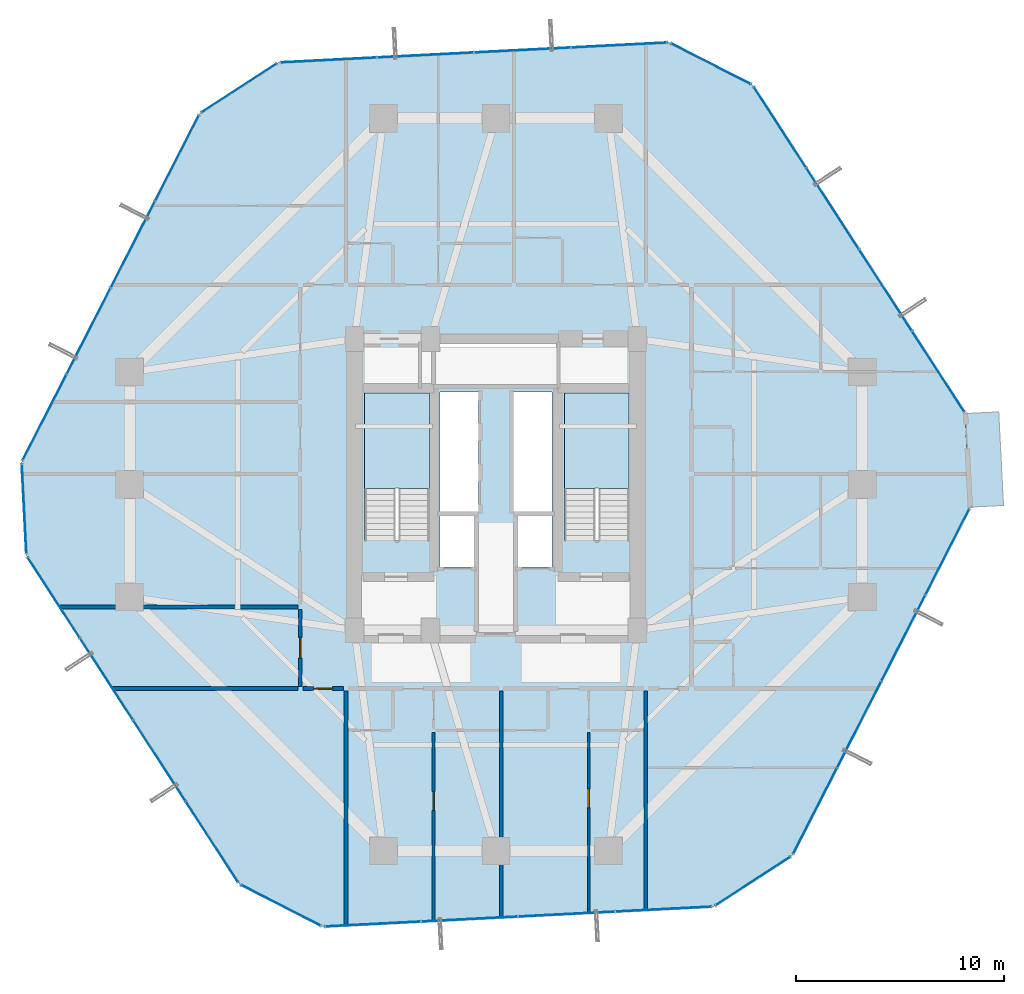
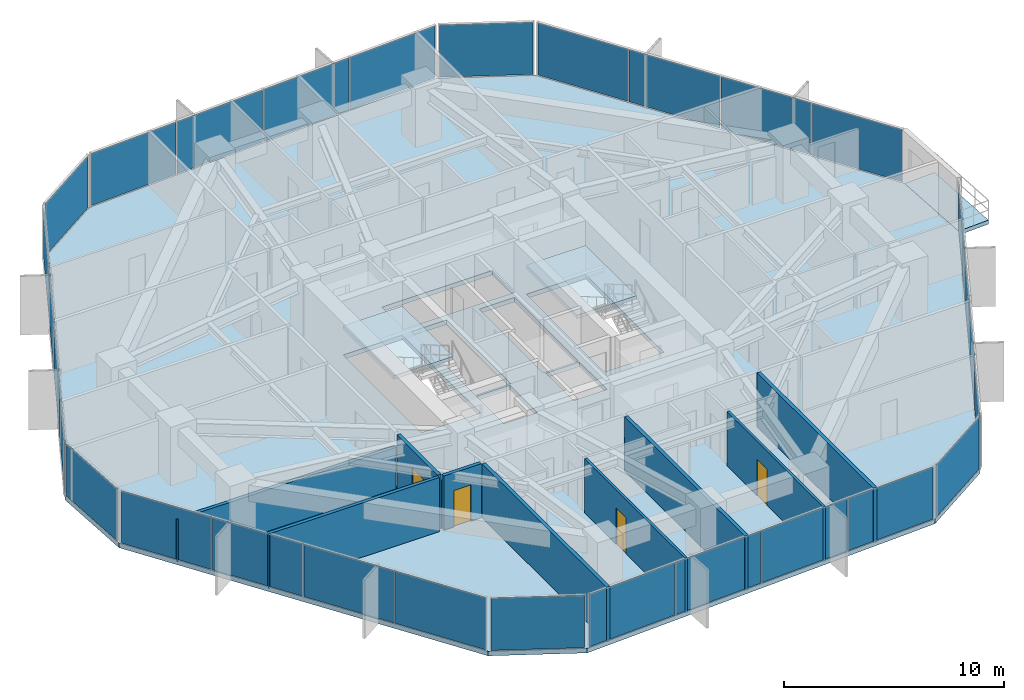
# One storey, part 32 of 37: 29 plates, 9 walls, 4 doors, 4 slabs, 4 openings, 13 elements without a shape of their own.
"""IFC4 building model written with IfcOpenShell, lengths in metres."""

from ifc_helpers import new_model, si_unit, direction, frame, frame_2d, origin, origin_2d, place, context, subcontext, project, spatial, polyline, rectangle, outline, extrude, source, transform, mapped, material, layer, layer_set, type_object, element, fill, aggregate, save


model = new_model("IFC4")

# Units and contexts
model_context = context("Model", 3, precision=1e-05, world=origin(), true_north=direction((0.0, 1.0)))
body_context = subcontext(model_context, "Body", "Model", "MODEL_VIEW")
ifc_project = project(units=[si_unit("LENGTHUNIT", "METRE"), si_unit("AREAUNIT", "SQUARE_METRE"), si_unit("VOLUMEUNIT", "CUBIC_METRE"), si_unit("PLANEANGLEUNIT", "RADIAN"), si_unit("MASSUNIT", "GRAM", prefix="KILO")], contexts=[model_context])

# Site, building, storey
site_placement = place(None, origin())
site = spatial("IfcSite", under=ifc_project, at=site_placement, CompositionType="ELEMENT")
building_placement = place(site_placement, origin())
building = spatial("IfcBuilding", under=site, at=building_placement, Name="Veraguas Prism Commons", CompositionType="ELEMENT")
storey_placement = place(building_placement, frame((0.0, 0.0, 33.800048828125)))
storey = spatial("IfcBuildingStorey", under=building, at=storey_placement, Name="L08", CompositionType="ELEMENT", Elevation=33.800048828125)

# Stair, slab
ifc_material_1 = material(Name="Precast concrete C45/55", Category="concrete")
stair_type = type_object("IfcStairType", Name="Dogleg Core Stair 1480W 20R 05", PredefinedType="HALF_TURN_STAIR", material=ifc_material_1)
stair_1_placement = place(storey_placement, origin())
stair_1 = element("IfcStair", 1, at=stair_1_placement, inside=storey, type_object=stair_type, Name="Protected Exit Stair ST-01 L08", PredefinedType="HALF_TURN_STAIR")
ifc_layer_1 = layer(ifc_material_1, 0.199951171875, Name="Precast Stair and Ramp Landing Slab 200", Category="concrete")
ifc_layer_set_1 = layer_set([ifc_layer_1], Name="Precast concrete C45/55")
slab_type_1 = type_object("IfcSlabType", Name="Precast Stair and Ramp Landing Slab 200", PredefinedType="LANDING", material=ifc_layer_set_1)
slab_1_placement = place(storey_placement, frame((0.0, 0.0, 1.425048828125)))
slab_1 = element("IfcSlab", 2, at=slab_1_placement, type_object=slab_type_1, Name="ST-05 Landing 1", PredefinedType="LANDING", context=body_context, shape_type="SweptSolid", body=[
    extrude(outline(polyline([(20.800048828125, 23.800048828125), (20.800048828125, 28.39990234375), (17.68994140625, 28.39990234375), (17.68994140625, 23.800048828125), (20.800048828125, 23.800048828125)])), origin(), (0.0, 0.0, 1.0), 0.199951171875),
])
aggregate(stair_1, [slab_1])

stair_2_placement = place(storey_placement, origin())
stair_2 = element("IfcStair", 3, at=stair_2_placement, inside=storey, type_object=stair_type, Name="Protected Exit Stair ST-02 L08", PredefinedType="HALF_TURN_STAIR")
slab_2_placement = place(storey_placement, frame((0.0, 0.0, 1.425048828125)))
slab_2 = element("IfcSlab", 4, at=slab_2_placement, type_object=slab_type_1, Name="ST-05 Landing 1", PredefinedType="LANDING", context=body_context, shape_type="SweptSolid", body=[
    extrude(outline(polyline([(30.39990234375, 23.800048828125), (30.39990234375, 28.39990234375), (27.2900390625, 28.39990234375), (27.2900390625, 23.800048828125), (30.39990234375, 23.800048828125)])), origin(), (0.0, 0.0, 1.0), 0.199951171875),
])
aggregate(stair_2, [slab_2])

# Slabs
ifc_material_2 = material(Name="Concrete C45/55", Category="concrete")
ifc_layer_2 = layer(ifc_material_2, 0.219970703125, Name="Recessed Loggia and Terrace Slab RC 220", Category="concrete")
ifc_layer_set_2 = layer_set([ifc_layer_2], Name="Concrete C45/55")
slab_type_2 = type_object("IfcSlabType", Name="Recessed Loggia and Terrace Slab RC 220", PredefinedType="FLOOR", material=ifc_layer_set_2)
slab_3_placement = place(storey_placement, frame((0.0, 0.0, -0.219970703125)))
element("IfcSlab", 5, at=slab_3_placement, inside=storey, type_object=slab_type_2, Name="Recessed Corner Loggia L08-C1", PredefinedType="FLOOR", context=body_context, shape_type="SweptSolid", body=[
    extrude(outline(polyline([(46.7666015625, 22.916259765625), (48.384521484375, 22.99951171875), (48.153564453125, 27.493408203125), (46.53564453125, 27.410400390625), (46.7666015625, 22.916259765625)])), origin(), (0.0, 0.0, 1.0), 0.219970703125),
])
ifc_layer_3 = layer(ifc_material_2, 0.25, Name="Tower Lower Residential Floor Slab RC 250", Category="concrete")
ifc_layer_set_3 = layer_set([ifc_layer_3], Name="Concrete C45/55")
slab_type_3 = type_object("IfcSlabType", Name="Tower Lower Residential Floor Slab RC 250", PredefinedType="FLOOR", material=ifc_layer_set_3)
slab_4_placement = place(storey_placement, frame((0.0, 0.0, -0.25)))
element("IfcSlab", 6, at=slab_4_placement, inside=storey, type_object=slab_type_3, Name="Tower Floor Slab L08", PredefinedType="FLOOR", context=body_context, shape_type="SweptSolid", body=[
    extrude(outline(polyline([(46.78662109375, 22.917236328125), (46.5556640625, 27.411376953125), (36.330810546875, 43.1923828125), (32.323486328125, 45.239501953125), (13.54443359375, 44.27490234375), (9.767822265625, 41.828125), (1.21337890625, 25.082763671875), (1.4443359375, 20.588623046875), (11.669189453125, 4.8076171875), (15.676513671875, 2.760498046875), (34.45556640625, 3.72509765625), (38.232177734375, 6.171875), (46.78662109375, 22.917236328125)]), holes=[polyline([(20.800048828125, 21.31005859375), (20.800048828125, 28.39990234375), (17.68994140625, 28.39990234375), (17.68994140625, 21.31005859375), (20.800048828125, 21.31005859375)]), polyline([(30.39990234375, 21.31005859375), (30.39990234375, 28.39990234375), (27.2900390625, 28.39990234375), (27.2900390625, 21.31005859375), (30.39990234375, 21.31005859375)]), polyline([(21.300048828125, 22.64990234375), (23.14990234375, 22.64990234375), (23.14990234375, 28.449951171875), (21.300048828125, 28.449951171875), (21.300048828125, 22.64990234375)]), polyline([(24.85009765625, 22.64990234375), (26.699951171875, 22.64990234375), (26.699951171875, 28.449951171875), (24.85009765625, 28.449951171875), (24.85009765625, 22.64990234375)]), polyline([(21.10009765625, 28.800048828125), (26.89990234375, 28.800048828125), (26.89990234375, 30.800048828125), (21.10009765625, 30.800048828125), (21.10009765625, 28.800048828125)]), polyline([(21.300048828125, 20.050048828125), (23.050048828125, 20.050048828125), (23.050048828125, 22.550048828125), (21.300048828125, 22.550048828125), (21.300048828125, 20.050048828125)]), polyline([(24.949951171875, 20.050048828125), (26.699951171875, 20.050048828125), (26.699951171875, 22.550048828125), (24.949951171875, 22.550048828125), (24.949951171875, 20.050048828125)])]), origin(), (0.0, 0.0, 1.0), 0.25),
])

# Curtain wall, plates
ifc_material_3 = material(Name="Anodised aluminium EN AW-6063 T6", Category="aluminium")
ifc_layer_4 = layer(ifc_material_3, 0.169921875, Name="Unitised Flush Curtain Wall Zone 1", Category="aluminium")
ifc_layer_set_4 = layer_set([ifc_layer_4], Name="Anodised aluminium EN AW-6063 T6")
curtain_wall_type = type_object("IfcCurtainWallType", Name="Unitised Flush Curtain Wall Zone 1", PredefinedType="NOTDEFINED", material=ifc_layer_set_4)
curtain_wall_1_placement = place(storey_placement, origin())
curtain_wall_1 = element("IfcCurtainWall", 7, at=curtain_wall_1_placement, inside=storey, type_object=curtain_wall_type, Name="Tower Facade Curtain Wall L08-F1", PredefinedType="NOTDEFINED")
ifc_material_4 = material(Name="Laminated low-e glass", Category="glass")
ifc_layer_5 = layer(ifc_material_4, 0.028076171875, Name="Unitised Double Low-E Glazed Panel 28", Category="glass")
ifc_layer_set_5 = layer_set([ifc_layer_5], Name="Laminated low-e glass")
plate_type = type_object("IfcPlateType", Name="Unitised Double Low-E Glazed Panel 28", PredefinedType="CURTAIN_PANEL", material=ifc_layer_set_5)
shared_shape_1 = source(origin(), body_context, "Body", "SweptSolid", [
    extrude(rectangle(XDim=4.5810546875, YDim=0.028076171875, at=origin_2d()), origin(), (0.0, 0.0, 1.0), 2.889892578125),
])
plate_1_placement = place(storey_placement, frame((45.244873046875, 29.434326171875, 0.05517578125), z_axis=(0.0, 0.0, 1.0), x_axis=(-0.543766341769, 0.839236656468, 0.0)))
plate_1 = element("IfcPlate", 8, at=plate_1_placement, type_object=plate_type, Name="CW-Z1 Panel 1.1", PredefinedType="CURTAIN_PANEL", context=body_context, shape_type="MappedRepresentation", body=[
    mapped(shared_shape_1, transform((0.0, 0.0, 0.0), scale=1.0)),
])
plate_2_placement = place(storey_placement, frame((37.6416015625, 41.169189453125, 0.05517578125), z_axis=(0.0, 0.0, 1.0), x_axis=(-0.543766341769, 0.839236656468, 0.0)))
plate_2 = element("IfcPlate", 9, at=plate_2_placement, type_object=plate_type, Name="CW-Z1 Panel 4.1", PredefinedType="CURTAIN_PANEL", context=body_context, shape_type="MappedRepresentation", body=[
    mapped(shared_shape_1, transform((0.0, 0.0, 0.0), scale=1.0)),
])

curtain_wall_2_placement = place(storey_placement, origin())
curtain_wall_2 = element("IfcCurtainWall", 10, at=curtain_wall_2_placement, inside=storey, type_object=curtain_wall_type, Name="Tower Facade Curtain Wall L08-F2", PredefinedType="NOTDEFINED")
plate_3_placement = place(storey_placement, frame((29.916259765625, 45.11572265625, 0.05517578125), z_axis=(0.0, 0.0, 1.0), x_axis=(-0.99868379327, -0.051290165334, 0.0)))
plate_3 = element("IfcPlate", 11, at=plate_3_placement, type_object=plate_type, Name="CW-Z1 Panel 1.1", PredefinedType="CURTAIN_PANEL", context=body_context, shape_type="MappedRepresentation", body=[
    mapped(shared_shape_1, transform((0.0, 0.0, 0.0), scale=1.0)),
])
plate_4_placement = place(storey_placement, frame((15.95166015625, 44.398681640625, 0.05517578125), z_axis=(0.0, 0.0, 1.0), x_axis=(-0.99868379327, -0.051290165334, 0.0)))
plate_4 = element("IfcPlate", 12, at=plate_4_placement, type_object=plate_type, Name="CW-Z1 Panel 4.1", PredefinedType="CURTAIN_PANEL", context=body_context, shape_type="MappedRepresentation", body=[
    mapped(shared_shape_1, transform((0.0, 0.0, 0.0), scale=1.0)),
])

curtain_wall_3_placement = place(storey_placement, origin())
curtain_wall_3 = element("IfcCurtainWall", 13, at=curtain_wall_3_placement, inside=storey, type_object=curtain_wall_type, Name="Tower Facade Curtain Wall L08-F3", PredefinedType="NOTDEFINED")
plate_5_placement = place(storey_placement, frame((8.671142578125, 39.681396484375, 0.05517578125), z_axis=(0.0, 0.0, 1.0), x_axis=(-0.454921756221, -0.890531411976, 0.0)))
plate_5 = element("IfcPlate", 14, at=plate_5_placement, type_object=plate_type, Name="CW-Z1 Panel 1.1", PredefinedType="CURTAIN_PANEL", context=body_context, shape_type="MappedRepresentation", body=[
    mapped(shared_shape_1, transform((0.0, 0.0, 0.0), scale=1.0)),
])
plate_6_placement = place(storey_placement, frame((2.31005859375, 27.229248046875, 0.05517578125), z_axis=(0.0, 0.0, 1.0), x_axis=(-0.454921756221, -0.890531411976, 0.0)))
plate_6 = element("IfcPlate", 15, at=plate_6_placement, type_object=plate_type, Name="CW-Z1 Panel 4.1", PredefinedType="CURTAIN_PANEL", context=body_context, shape_type="MappedRepresentation", body=[
    mapped(shared_shape_1, transform((0.0, 0.0, 0.0), scale=1.0)),
])

curtain_wall_4_placement = place(storey_placement, origin())
curtain_wall_4 = element("IfcCurtainWall", 16, at=curtain_wall_4_placement, inside=storey, type_object=curtain_wall_type, Name="Tower Facade Curtain Wall L08-F4", PredefinedType="NOTDEFINED")
plate_7_placement = place(storey_placement, frame((2.755126953125, 18.565673828125, 0.05517578125), z_axis=(0.0, 0.0, 1.0), x_axis=(0.543766341769, -0.839236656468, 0.0)))
plate_7 = element("IfcPlate", 17, at=plate_7_placement, type_object=plate_type, Name="CW-Z1 Panel 1.1", PredefinedType="CURTAIN_PANEL", context=body_context, shape_type="MappedRepresentation", body=[
    mapped(shared_shape_1, transform((0.0, 0.0, 0.0), scale=1.0)),
])
plate_8_placement = place(storey_placement, frame((10.3583984375, 6.830810546875, 0.05517578125), z_axis=(0.0, 0.0, 1.0), x_axis=(0.543766341769, -0.839236656468, 0.0)))
plate_8 = element("IfcPlate", 18, at=plate_8_placement, type_object=plate_type, Name="CW-Z1 Panel 4.1", PredefinedType="CURTAIN_PANEL", context=body_context, shape_type="MappedRepresentation", body=[
    mapped(shared_shape_1, transform((0.0, 0.0, 0.0), scale=1.0)),
])

curtain_wall_5_placement = place(storey_placement, origin())
curtain_wall_5 = element("IfcCurtainWall", 19, at=curtain_wall_5_placement, inside=storey, type_object=curtain_wall_type, Name="Tower Facade Curtain Wall L08-F5", PredefinedType="NOTDEFINED")
plate_9_placement = place(storey_placement, frame((18.083740234375, 2.88427734375, 0.05517578125), z_axis=(0.0, 0.0, 1.0), x_axis=(0.99868379327, 0.051290165334, 0.0)))
plate_9 = element("IfcPlate", 20, at=plate_9_placement, type_object=plate_type, Name="CW-Z1 Panel 1.1", PredefinedType="CURTAIN_PANEL", context=body_context, shape_type="MappedRepresentation", body=[
    mapped(shared_shape_1, transform((0.0, 0.0, 0.0), scale=1.0)),
])
plate_10_placement = place(storey_placement, frame((32.04833984375, 3.601318359375, 0.05517578125), z_axis=(0.0, 0.0, 1.0), x_axis=(0.99868379327, 0.051290165334, 0.0)))
plate_10 = element("IfcPlate", 21, at=plate_10_placement, type_object=plate_type, Name="CW-Z1 Panel 4.1", PredefinedType="CURTAIN_PANEL", context=body_context, shape_type="MappedRepresentation", body=[
    mapped(shared_shape_1, transform((0.0, 0.0, 0.0), scale=1.0)),
])

curtain_wall_6_placement = place(storey_placement, origin())
curtain_wall_6 = element("IfcCurtainWall", 22, at=curtain_wall_6_placement, inside=storey, type_object=curtain_wall_type, Name="Tower Facade Curtain Wall L08-F6", PredefinedType="NOTDEFINED")
plate_11_placement = place(storey_placement, frame((39.328857421875, 8.318603515625, 0.05517578125), z_axis=(0.0, 0.0, 1.0), x_axis=(0.454921756221, 0.890531411976, 0.0)))
plate_11 = element("IfcPlate", 23, at=plate_11_placement, type_object=plate_type, Name="CW-Z1 Panel 1.1", PredefinedType="CURTAIN_PANEL", context=body_context, shape_type="MappedRepresentation", body=[
    mapped(shared_shape_1, transform((0.0, 0.0, 0.0), scale=1.0)),
])
plate_12_placement = place(storey_placement, frame((45.68994140625, 20.770751953125, 0.05517578125), z_axis=(0.0, 0.0, 1.0), x_axis=(0.454921756221, 0.890531411976, 0.0)))
plate_12 = element("IfcPlate", 24, at=plate_12_placement, type_object=plate_type, Name="CW-Z1 Panel 4.1", PredefinedType="CURTAIN_PANEL", context=body_context, shape_type="MappedRepresentation", body=[
    mapped(shared_shape_1, transform((0.0, 0.0, 0.0), scale=1.0)),
])

# Plate
shared_shape_2 = source(origin(), body_context, "Body", "SweptSolid", [
    extrude(rectangle(XDim=4.611083984375, YDim=0.028076171875, at=origin_2d()), origin(), (0.0, 0.0, 1.0), 2.889892578125),
])
plate_13_placement = place(storey_placement, frame((25.266357421875, 44.876953125, 0.05517578125), z_axis=(0.0, 0.0, 1.0), x_axis=(-0.99868379327, -0.051290165334, 0.0)))
plate_13 = element("IfcPlate", 25, at=plate_13_placement, type_object=plate_type, Name="CW-Z1 Panel 2.1", PredefinedType="CURTAIN_PANEL", context=body_context, shape_type="MappedRepresentation", body=[
    mapped(shared_shape_2, transform((0.0, 0.0, 0.0), scale=1.0)),
])

plate_14_placement = place(storey_placement, frame((20.6015625, 44.637451171875, 0.05517578125), z_axis=(0.0, 0.0, 1.0), x_axis=(-0.99868379327, -0.051290165334, 0.0)))
plate_14 = element("IfcPlate", 26, at=plate_14_placement, type_object=plate_type, Name="CW-Z1 Panel 3.1", PredefinedType="CURTAIN_PANEL", context=body_context, shape_type="MappedRepresentation", body=[
    mapped(shared_shape_2, transform((0.0, 0.0, 0.0), scale=1.0)),
])

aggregate(curtain_wall_2, [plate_3, plate_13, plate_14, plate_4])

plate_15_placement = place(storey_placement, frame((6.55322265625, 35.53515625, 0.05517578125), z_axis=(0.0, 0.0, 1.0), x_axis=(-0.454921756221, -0.890531411976, 0.0)))
plate_15 = element("IfcPlate", 27, at=plate_15_placement, type_object=plate_type, Name="CW-Z1 Panel 2.1", PredefinedType="CURTAIN_PANEL", context=body_context, shape_type="MappedRepresentation", body=[
    mapped(shared_shape_2, transform((0.0, 0.0, 0.0), scale=1.0)),
])

plate_16_placement = place(storey_placement, frame((4.42822265625, 31.37548828125, 0.05517578125), z_axis=(0.0, 0.0, 1.0), x_axis=(-0.454921756221, -0.890531411976, 0.0)))
plate_16 = element("IfcPlate", 28, at=plate_16_placement, type_object=plate_type, Name="CW-Z1 Panel 3.1", PredefinedType="CURTAIN_PANEL", context=body_context, shape_type="MappedRepresentation", body=[
    mapped(shared_shape_2, transform((0.0, 0.0, 0.0), scale=1.0)),
])

aggregate(curtain_wall_3, [plate_5, plate_15, plate_16, plate_6])

plate_17_placement = place(storey_placement, frame((22.733642578125, 3.123046875, 0.05517578125), z_axis=(0.0, 0.0, 1.0), x_axis=(0.99868379327, 0.051290165334, 0.0)))
plate_17 = element("IfcPlate", 29, at=plate_17_placement, type_object=plate_type, Name="CW-Z1 Panel 2.1", PredefinedType="CURTAIN_PANEL", context=body_context, shape_type="MappedRepresentation", body=[
    mapped(shared_shape_2, transform((0.0, 0.0, 0.0), scale=1.0)),
])

plate_18_placement = place(storey_placement, frame((27.3984375, 3.362548828125, 0.05517578125), z_axis=(0.0, 0.0, 1.0), x_axis=(0.99868379327, 0.051290165334, 0.0)))
plate_18 = element("IfcPlate", 30, at=plate_18_placement, type_object=plate_type, Name="CW-Z1 Panel 3.1", PredefinedType="CURTAIN_PANEL", context=body_context, shape_type="MappedRepresentation", body=[
    mapped(shared_shape_2, transform((0.0, 0.0, 0.0), scale=1.0)),
])

aggregate(curtain_wall_5, [plate_9, plate_17, plate_18, plate_10])

plate_19_placement = place(storey_placement, frame((41.44677734375, 12.46484375, 0.05517578125), z_axis=(0.0, 0.0, 1.0), x_axis=(0.454921756221, 0.890531411976, 0.0)))
plate_19 = element("IfcPlate", 31, at=plate_19_placement, type_object=plate_type, Name="CW-Z1 Panel 2.1", PredefinedType="CURTAIN_PANEL", context=body_context, shape_type="MappedRepresentation", body=[
    mapped(shared_shape_2, transform((0.0, 0.0, 0.0), scale=1.0)),
])

plate_20_placement = place(storey_placement, frame((43.57177734375, 16.62451171875, 0.05517578125), z_axis=(0.0, 0.0, 1.0), x_axis=(0.454921756221, 0.890531411976, 0.0)))
plate_20 = element("IfcPlate", 32, at=plate_20_placement, type_object=plate_type, Name="CW-Z1 Panel 3.1", PredefinedType="CURTAIN_PANEL", context=body_context, shape_type="MappedRepresentation", body=[
    mapped(shared_shape_2, transform((0.0, 0.0, 0.0), scale=1.0)),
])

aggregate(curtain_wall_6, [plate_11, plate_19, plate_20, plate_12])

shared_shape_3 = source(origin(), body_context, "Body", "SweptSolid", [
    extrude(rectangle(XDim=4.61083984375, YDim=0.028076171875, at=origin_2d()), origin(), (0.0, 0.0, 1.0), 2.889892578125),
])
plate_21_placement = place(storey_placement, frame((42.713134765625, 33.341796875, 0.05517578125), z_axis=(0.0, 0.0, 1.0), x_axis=(-0.543766341769, 0.839236656468, 0.0)))
plate_21 = element("IfcPlate", 33, at=plate_21_placement, type_object=plate_type, Name="CW-Z1 Panel 2.1", PredefinedType="CURTAIN_PANEL", context=body_context, shape_type="MappedRepresentation", body=[
    mapped(shared_shape_3, transform((0.0, 0.0, 0.0), scale=1.0)),
])

plate_22_placement = place(storey_placement, frame((40.17333984375, 37.261962890625, 0.05517578125), z_axis=(0.0, 0.0, 1.0), x_axis=(-0.543766341769, 0.839236656468, 0.0)))
plate_22 = element("IfcPlate", 34, at=plate_22_placement, type_object=plate_type, Name="CW-Z1 Panel 3.1", PredefinedType="CURTAIN_PANEL", context=body_context, shape_type="MappedRepresentation", body=[
    mapped(shared_shape_3, transform((0.0, 0.0, 0.0), scale=1.0)),
])

aggregate(curtain_wall_1, [plate_1, plate_21, plate_22, plate_2])

plate_23_placement = place(storey_placement, frame((5.286865234375, 14.658203125, 0.05517578125), z_axis=(0.0, 0.0, 1.0), x_axis=(0.543766341769, -0.839236656468, 0.0)))
plate_23 = element("IfcPlate", 35, at=plate_23_placement, type_object=plate_type, Name="CW-Z1 Panel 2.1", PredefinedType="CURTAIN_PANEL", context=body_context, shape_type="MappedRepresentation", body=[
    mapped(shared_shape_3, transform((0.0, 0.0, 0.0), scale=1.0)),
])

plate_24_placement = place(storey_placement, frame((7.82666015625, 10.738037109375, 0.05517578125), z_axis=(0.0, 0.0, 1.0), x_axis=(0.543766341769, -0.839236656468, 0.0)))
plate_24 = element("IfcPlate", 36, at=plate_24_placement, type_object=plate_type, Name="CW-Z1 Panel 3.1", PredefinedType="CURTAIN_PANEL", context=body_context, shape_type="MappedRepresentation", body=[
    mapped(shared_shape_3, transform((0.0, 0.0, 0.0), scale=1.0)),
])

aggregate(curtain_wall_4, [plate_7, plate_23, plate_24, plate_8])

# Curtain wall, plate
curtain_wall_7_placement = place(storey_placement, origin())
curtain_wall_7 = element("IfcCurtainWall", 37, at=curtain_wall_7_placement, inside=storey, type_object=curtain_wall_type, Name="Chamfer Curtain Wall L08-C2", PredefinedType="NOTDEFINED")
shared_shape_4 = source(origin(), body_context, "Body", "SweptSolid", [
    extrude(rectangle(XDim=4.260009765625, YDim=0.028076171875, at=origin_2d()), origin(), (0.0, 0.0, 1.0), 2.889892578125),
])
plate_25_placement = place(storey_placement, frame((34.3271484375, 44.2158203125, 0.05517578125), z_axis=(0.0, 0.0, 1.0), x_axis=(-0.890530617987, 0.454923310491, 0.0)))
plate_25 = element("IfcPlate", 38, at=plate_25_placement, type_object=plate_type, Name="CW-Z1 Panel 1.1", PredefinedType="CURTAIN_PANEL", context=body_context, shape_type="MappedRepresentation", body=[
    mapped(shared_shape_4, transform((0.0, 0.0, 0.0), scale=1.0)),
])
aggregate(curtain_wall_7, [plate_25])

curtain_wall_8_placement = place(storey_placement, origin())
curtain_wall_8 = element("IfcCurtainWall", 39, at=curtain_wall_8_placement, inside=storey, type_object=curtain_wall_type, Name="Chamfer Curtain Wall L08-C3", PredefinedType="NOTDEFINED")
plate_26_placement = place(storey_placement, frame((11.656005859375, 43.051513671875, 0.05517578125), z_axis=(0.0, 0.0, 1.0), x_axis=(-0.839232860242, -0.543772200733, 0.0)))
plate_26 = element("IfcPlate", 40, at=plate_26_placement, type_object=plate_type, Name="CW-Z1 Panel 1.1", PredefinedType="CURTAIN_PANEL", context=body_context, shape_type="MappedRepresentation", body=[
    mapped(shared_shape_4, transform((0.0, 0.0, 0.0), scale=1.0)),
])
aggregate(curtain_wall_8, [plate_26])

curtain_wall_9_placement = place(storey_placement, origin())
curtain_wall_9 = element("IfcCurtainWall", 41, at=curtain_wall_9_placement, inside=storey, type_object=curtain_wall_type, Name="Chamfer Curtain Wall L08-C4", PredefinedType="NOTDEFINED")
plate_27_placement = place(storey_placement, frame((1.328857421875, 22.835693359375, 0.05517578125), z_axis=(0.0, 0.0, 1.0), x_axis=(0.051277964106, -0.998684419823, 0.0)))
plate_27 = element("IfcPlate", 42, at=plate_27_placement, type_object=plate_type, Name="CW-Z1 Panel 1.1", PredefinedType="CURTAIN_PANEL", context=body_context, shape_type="MappedRepresentation", body=[
    mapped(shared_shape_4, transform((0.0, 0.0, 0.0), scale=1.0)),
])
aggregate(curtain_wall_9, [plate_27])

curtain_wall_10_placement = place(storey_placement, origin())
curtain_wall_10 = element("IfcCurtainWall", 43, at=curtain_wall_10_placement, inside=storey, type_object=curtain_wall_type, Name="Chamfer Curtain Wall L08-C5", PredefinedType="NOTDEFINED")
plate_28_placement = place(storey_placement, frame((13.6728515625, 3.7841796875, 0.05517578125), z_axis=(0.0, 0.0, 1.0), x_axis=(0.890530617987, -0.454923310491, 0.0)))
plate_28 = element("IfcPlate", 44, at=plate_28_placement, type_object=plate_type, Name="CW-Z1 Panel 1.1", PredefinedType="CURTAIN_PANEL", context=body_context, shape_type="MappedRepresentation", body=[
    mapped(shared_shape_4, transform((0.0, 0.0, 0.0), scale=1.0)),
])
aggregate(curtain_wall_10, [plate_28])

curtain_wall_11_placement = place(storey_placement, origin())
curtain_wall_11 = element("IfcCurtainWall", 45, at=curtain_wall_11_placement, inside=storey, type_object=curtain_wall_type, Name="Chamfer Curtain Wall L08-C6", PredefinedType="NOTDEFINED")
plate_29_placement = place(storey_placement, frame((36.343994140625, 4.948486328125, 0.05517578125), z_axis=(0.0, 0.0, 1.0), x_axis=(0.839232860242, 0.543772200733, 0.0)))
plate_29 = element("IfcPlate", 46, at=plate_29_placement, type_object=plate_type, Name="CW-Z1 Panel 1.1", PredefinedType="CURTAIN_PANEL", context=body_context, shape_type="MappedRepresentation", body=[
    mapped(shared_shape_4, transform((0.0, 0.0, 0.0), scale=1.0)),
])
aggregate(curtain_wall_11, [plate_29])

# Walls
ifc_material_5 = material(Name="Autoclaved aerated masonry block 10 MPa", Category="masonry")
ifc_layer_6 = layer(ifc_material_5, 0.179931640625, Name="Corridor and Inter-Tenancy Partition 180", Category="masonry")
ifc_layer_set_6 = layer_set([ifc_layer_6], Name="Autoclaved aerated masonry block 10 MPa")
wall_type_1 = type_object("IfcWallType", Name="Corridor and Inter-Tenancy Partition 180", PredefinedType="PARTITIONING", material=ifc_layer_set_6)
wall_1_placement = place(storey_placement, frame((16.800048828125, 14.080078125, 0.0), z_axis=(0.0, 0.0, 1.0), x_axis=(0.0, -1.0, 0.0)))
element("IfcWall", 47, at=wall_1_placement, inside=storey, type_object=wall_type_1, Name="WL-L08-PT001", PredefinedType="PARTITIONING", context=body_context, shape_type="SweptSolid", body=[
    extrude(rectangle(XDim=11.2919921875, YDim=0.179931640625, at=frame_2d((5.64599609375, 0.0))), origin(), (0.0, 0.0, 1.0), 3.0),
])
wall_2_placement = place(storey_placement, frame((31.199951171875, 14.080078125, 0.0), z_axis=(0.0, 0.0, 1.0), x_axis=(0.0, -1.0, 0.0)))
element("IfcWall", 48, at=wall_2_placement, inside=storey, type_object=wall_type_1, Name="WL-L08-PT002", PredefinedType="PARTITIONING", context=body_context, shape_type="SweptSolid", body=[
    extrude(rectangle(XDim=10.55224609375, YDim=0.179931640625, at=frame_2d((5.276123046875, 0.0))), origin(), (0.0, 0.0, 1.0), 3.0),
])
wall_3_placement = place(storey_placement, frame((24.258056640625, 14.080078125, 0.0), z_axis=(0.0, 0.0, 1.0), x_axis=(0.0, -1.0, 0.0)))
element("IfcWall", 49, at=wall_3_placement, inside=storey, type_object=wall_type_1, Name="WL-L08-PT009", PredefinedType="PARTITIONING", context=body_context, shape_type="SweptSolid", body=[
    extrude(rectangle(XDim=10.908935546875, YDim=0.179931640625, at=frame_2d((5.45458984375, 0.0))), origin(), (0.0, 0.0, 1.0), 3.0),
])
wall_4_placement = place(storey_placement, frame((14.47998046875, 14.199951171875, 0.0), z_axis=(0.0, 0.0, 1.0), x_axis=(-1.0, 0.0, 0.0)))
element("IfcWall", 50, at=wall_4_placement, inside=storey, type_object=wall_type_1, Name="WL-L08-PT028", PredefinedType="PARTITIONING", context=body_context, shape_type="SweptSolid", body=[
    extrude(rectangle(XDim=8.93212890625, YDim=0.179931640625, at=frame_2d((4.466064453125, 0.0))), origin(), (0.0, 0.0, 1.0), 3.0),
])

# Wall, opening, door
wall_5_placement = place(storey_placement, frame((14.60009765625, 14.31005859375, 0.0), z_axis=(0.0, 0.0, 1.0), x_axis=(0.0, 1.0, 0.0)))
wall_5 = element("IfcWall", 51, at=wall_5_placement, inside=storey, type_object=wall_type_1, Name="WL-L08-PT030", PredefinedType="PARTITIONING", context=body_context, shape_type="SweptSolid", body=[
    extrude(rectangle(XDim=3.697021484375, YDim=0.179931640625, at=frame_2d((1.8486328125, 0.0))), origin(), (0.0, 0.0, 1.0), 3.0),
])
opening_1_placement = place(wall_5_placement, frame((1.348388671875, 0.0, 0.0)))
opening_1 = element("IfcOpeningElement", 52, at=opening_1_placement, cuts=wall_5, Name="Opening DR-13", PredefinedType="OPENING", context=body_context, shape_type="SweptSolid", body=[
    extrude(rectangle(XDim=1.0, YDim=2.010009765625, at=frame_2d((0.5, 1.0048828125))), frame((0.0, 0.099853515625, 0.0), z_axis=(0.0, -1.0, 0.0), x_axis=(1.0, 0.0, 0.0)), (0.0, 0.0, 1.0), 0.199951171875),
])
ifc_material_6 = material(Name="Steel fire-rated door assembly", Category="steel")
door_type_1 = type_object("IfcDoorType", Name="Core Accessible WC and Clinic Fire Door 1000x2010", OperationType="NOTDEFINED", PredefinedType="DOOR", material=ifc_material_6)
shared_shape_5 = source(origin(), body_context, "Body", "SweptSolid", [
    extrude(rectangle(XDim=1.0, YDim=2.010009765625, at=frame_2d((0.5, 1.0048828125))), frame((0.0, 0.02490234375, 0.0), z_axis=(0.0, -1.0, 0.0), x_axis=(1.0, 0.0, 0.0)), (0.0, 0.0, 1.0), 0.050048828125),
])
door_1_placement = place(opening_1_placement, origin())
door_1 = element("IfcDoor", 53, at=door_1_placement, inside=storey, type_object=door_type_1, Name="Community Co-op Kitchen Door", OperationType="SINGLE_SWING_LEFT", OverallHeight=2.010009765625, OverallWidth=1.0, PredefinedType="DOOR", context=body_context, shape_type="MappedRepresentation", body=[
    mapped(shared_shape_5, transform((0.0, 0.0, 0.0), scale=1.0)),
])
fill(opening_1, door_1)

# Wall
wall_6_placement = place(storey_placement, frame((14.47998046875, 18.116943359375, 0.0), z_axis=(0.0, 0.0, 1.0), x_axis=(-1.0, 0.0, 0.0)))
element("IfcWall", 54, at=wall_6_placement, inside=storey, type_object=wall_type_1, Name="WL-L08-PT032", PredefinedType="PARTITIONING", context=body_context, shape_type="SweptSolid", body=[
    extrude(rectangle(XDim=11.469970703125, YDim=0.179931640625, at=frame_2d((5.73486328125, 0.0))), origin(), (0.0, 0.0, 1.0), 2.299072265625),
])

# Wall, opening, door
wall_7_placement = place(storey_placement, frame((14.719970703125, 14.199951171875, 0.0), z_axis=(0.0, 0.0, 1.0), x_axis=(1.0, 0.0, 0.0)))
wall_7 = element("IfcWall", 55, at=wall_7_placement, inside=storey, type_object=wall_type_1, Name="WL-L08-PT056", PredefinedType="PARTITIONING", context=body_context, shape_type="SweptSolid", body=[
    extrude(rectangle(XDim=1.9599609375, YDim=0.179931640625, at=frame_2d((0.97998046875, 0.0))), origin(), (0.0, 0.0, 1.0), 3.0),
])
opening_2_placement = place(wall_7_placement, frame((0.530029296875, 0.0, 0.0)))
opening_2 = element("IfcOpeningElement", 56, at=opening_2_placement, cuts=wall_7, Name="Opening DR-14", PredefinedType="OPENING", context=body_context, shape_type="SweptSolid", body=[
    extrude(rectangle(XDim=0.89990234375, YDim=2.010009765625, at=frame_2d((0.449951171875, 1.0048828125))), frame((0.0, 0.099853515625, 0.0), z_axis=(0.0, -1.0, 0.0), x_axis=(1.0, 0.0, 0.0)), (0.0, 0.0, 1.0), 0.199951171875),
])
door_type_2 = type_object("IfcDoorType", Name="Core Service Room Fire Door 900x2010", OperationType="NOTDEFINED", PredefinedType="DOOR", material=ifc_material_6)
shared_shape_6 = source(origin(), body_context, "Body", "SweptSolid", [
    extrude(rectangle(XDim=0.89990234375, YDim=2.010009765625, at=frame_2d((0.449951171875, 1.0048828125))), frame((0.0, 0.02490234375, 0.0), z_axis=(0.0, -1.0, 0.0), x_axis=(1.0, 0.0, 0.0)), (0.0, 0.0, 1.0), 0.050048828125),
])
door_2_placement = place(opening_2_placement, origin())
door_2 = element("IfcDoor", 57, at=door_2_placement, inside=storey, type_object=door_type_2, Name="Residents Corner Study Room SW Door", OperationType="SINGLE_SWING_LEFT", OverallHeight=2.010009765625, OverallWidth=0.89990234375, PredefinedType="DOOR", context=body_context, shape_type="MappedRepresentation", body=[
    mapped(shared_shape_6, transform((0.0, 0.0, 0.0), scale=1.0)),
])
fill(opening_2, door_2)

ifc_material_7 = material(Name="Lightweight acoustic gypsum board")
ifc_layer_7 = layer(ifc_material_7, 0.125, Name="Internal Apartment Room Partition 125")
ifc_layer_set_7 = layer_set([ifc_layer_7], Name="Lightweight acoustic gypsum board")
wall_type_2 = type_object("IfcWallType", Name="Internal Apartment Room Partition 125", PredefinedType="PARTITIONING", material=ifc_layer_set_7)
wall_8_placement = place(storey_placement, frame((21.0, 12.10009765625, 0.0), z_axis=(0.0, 0.0, 1.0), x_axis=(0.0, -1.0, 0.0)))
wall_8 = element("IfcWall", 58, at=wall_8_placement, inside=storey, type_object=wall_type_2, Name="WL-L08-PT008", PredefinedType="PARTITIONING", context=body_context, shape_type="SweptSolid", body=[
    extrude(rectangle(XDim=9.09619140625, YDim=0.125, at=frame_2d((4.548095703125, 0.0))), origin(), (0.0, 0.0, 1.0), 3.0),
])
opening_3_placement = place(wall_8_placement, frame((2.8505859375, 0.0, 0.0)))
opening_3 = element("IfcOpeningElement", 59, at=opening_3_placement, cuts=wall_8, Name="Opening DR-02", PredefinedType="OPENING", context=body_context, shape_type="SweptSolid", body=[
    extrude(rectangle(XDim=0.89990234375, YDim=2.010009765625, at=frame_2d((0.449951171875, 1.0048828125))), frame((0.0, 0.072509765625, 0.0), z_axis=(0.0, -1.0, 0.0), x_axis=(1.0, 0.0, 0.0)), (0.0, 0.0, 1.0), 0.14501953125),
])
ifc_material_8 = material(Name="Timber solid core hardwood", Category="wood")
door_type_3 = type_object("IfcDoorType", Name="Internal Habitable Room Door 900x2010", OperationType="NOTDEFINED", PredefinedType="DOOR", material=ifc_material_8)
door_3_placement = place(opening_3_placement, origin())
door_3 = element("IfcDoor", 60, at=door_3_placement, inside=storey, type_object=door_type_3, Name="Flat 08A Bedroom 1 Door", OperationType="SINGLE_SWING_RIGHT", OverallHeight=2.010009765625, OverallWidth=0.89990234375, PredefinedType="DOOR", context=body_context, shape_type="MappedRepresentation", body=[
    mapped(shared_shape_6, transform((0.0, 0.0, 0.0), scale=1.0)),
])
fill(opening_3, door_3)

wall_9_placement = place(storey_placement, frame((28.4580078125, 12.10009765625, 0.0), z_axis=(0.0, 0.0, 1.0), x_axis=(0.0, -1.0, 0.0)))
wall_9 = element("IfcWall", 61, at=wall_9_placement, inside=storey, type_object=wall_type_2, Name="WL-L08-PT015", PredefinedType="PARTITIONING", context=body_context, shape_type="SweptSolid", body=[
    extrude(rectangle(XDim=8.713134765625, YDim=0.125, at=frame_2d((4.3564453125, 0.0))), origin(), (0.0, 0.0, 1.0), 3.0),
])
opening_4_placement = place(wall_9_placement, frame((2.720458984375, 0.0, 0.0)))
opening_4 = element("IfcOpeningElement", 62, at=opening_4_placement, cuts=wall_9, Name="Opening DR-02", PredefinedType="OPENING", context=body_context, shape_type="SweptSolid", body=[
    extrude(rectangle(XDim=0.89990234375, YDim=2.010009765625, at=frame_2d((0.449951171875, 1.0048828125))), frame((0.0, 0.072509765625, 0.0), z_axis=(0.0, -1.0, 0.0), x_axis=(1.0, 0.0, 0.0)), (0.0, 0.0, 1.0), 0.14501953125),
])
door_4_placement = place(opening_4_placement, origin())
door_4 = element("IfcDoor", 63, at=door_4_placement, inside=storey, type_object=door_type_3, Name="Flat 08B Bedroom 1 Door", OperationType="SINGLE_SWING_RIGHT", OverallHeight=2.010009765625, OverallWidth=0.89990234375, PredefinedType="DOOR", context=body_context, shape_type="MappedRepresentation", body=[
    mapped(shared_shape_6, transform((0.0, 0.0, 0.0), scale=1.0)),
])
fill(opening_4, door_4)

save(model, "model.ifc")
